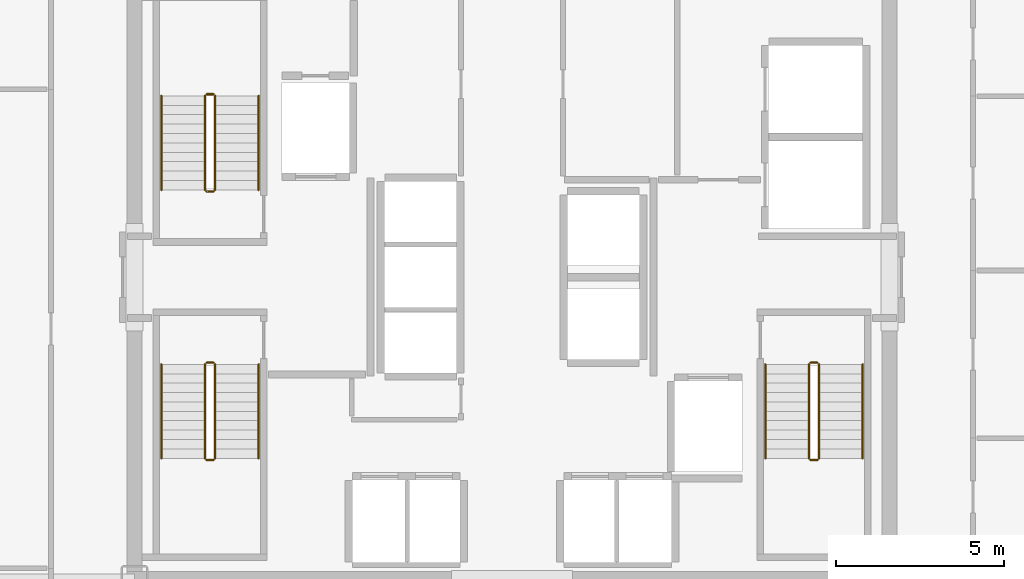
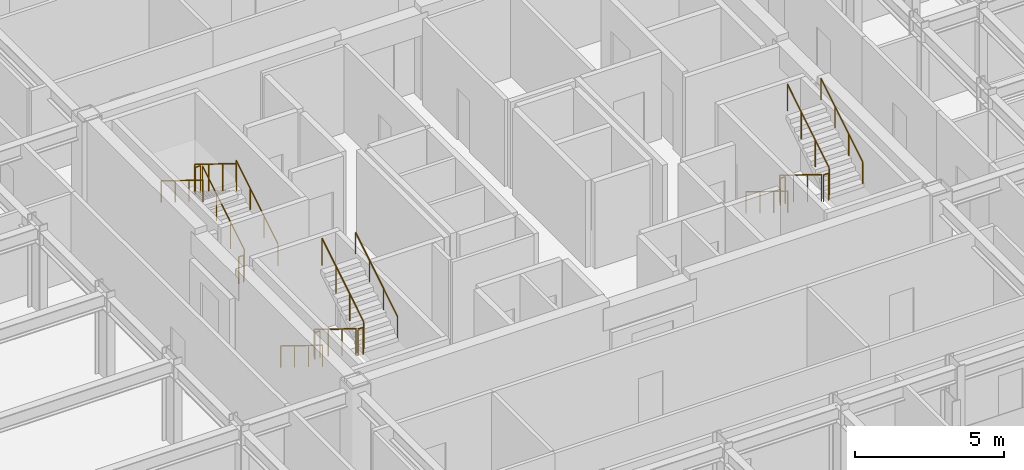
# One storey, part 20 of 20: 18 railings.
"""IFC4 building model written with IfcOpenShell, lengths in metres."""

from ifc_helpers import new_model, si_unit, direction, frame, origin, origin_2d, place, context, subcontext, project, spatial, circle, extrude, material, type_object, element, save


model = new_model("IFC4")

# Units and contexts
model_context = context("Model", 3, precision=1e-05, world=origin(), true_north=direction((0.0, 1.0)))
body_context = subcontext(model_context, "Body", "Model", "MODEL_VIEW")
ifc_project = project(units=[si_unit("LENGTHUNIT", "METRE"), si_unit("AREAUNIT", "SQUARE_METRE"), si_unit("VOLUMEUNIT", "CUBIC_METRE"), si_unit("PLANEANGLEUNIT", "RADIAN"), si_unit("MASSUNIT", "GRAM", prefix="KILO")], contexts=[model_context])

# Site, building, storey
site_placement = place(None, origin())
site = spatial("IfcSite", under=ifc_project, at=site_placement, CompositionType="ELEMENT")
building_placement = place(site_placement, origin())
building = spatial("IfcBuilding", under=site, at=building_placement, Name="Nefas-Gora Pilgrimage Tower", CompositionType="ELEMENT")
storey_placement = place(building_placement, frame((0.0, 0.0, 244.60009765625)))
storey = spatial("IfcBuildingStorey", under=building, at=storey_placement, Name="L61", CompositionType="ELEMENT", Elevation=244.60009765625)

# Railings
ifc_material_1 = material(Name="Painted galvanised steel", Category="steel")
railing_type_1 = type_object("IfcRailingType", Name="RLG-STR-GUARD-1100", PredefinedType="GUARDRAIL", material=ifc_material_1)
railing_1_placement = place(storey_placement, frame((-8.85009765625, 2.60009765625, 0.172607421875)))
element("IfcRailing", 1, at=railing_1_placement, inside=storey, type_object=railing_type_1, Name="L61 ST-01 stair guard 1", PredefinedType="GUARDRAIL", context=body_context, shape_type="SweptSolid", body=[
    extrude(circle(Radius=0.02392578125, at=origin_2d()), frame((0.0, 0.0, 1.09619140625), z_axis=(0.0, 0.851069175582, 0.525053576669), x_axis=(-1.0, 0.0, 0.0)), (0.0, 0.0, 1.0), 3.289794921875),
    extrude(circle(Radius=0.02099609375, at=origin_2d()), origin(), (0.0, 0.0, 1.0), 1.072021484375),
    extrude(circle(Radius=0.02099609375, at=origin_2d()), frame((0.0, 0.933349609375, 0.57568359375)), (0.0, 0.0, 1.0), 1.072021484375),
    extrude(circle(Radius=0.02099609375, at=origin_2d()), frame((0.0, 1.866455078125, 1.151611328125)), (0.0, 0.0, 1.0), 1.072021484375),
    extrude(circle(Radius=0.02099609375, at=origin_2d()), frame((0.0, 2.7998046875, 1.727294921875)), (0.0, 0.0, 1.0), 1.072021484375),
])
railing_2_placement = place(storey_placement, frame((-8.89990234375, 5.449951171875, 1.89990234375)))
element("IfcRailing", 2, at=railing_2_placement, inside=storey, type_object=railing_type_1, Name="L61 ST-01 stair guard 2", PredefinedType="GUARDRAIL", context=body_context, shape_type="SweptSolid", body=[
    extrude(circle(Radius=0.02392578125, at=origin_2d()), frame((0.0, 0.0, 1.09619140625), z_axis=(-1.0, 0.0, 0.0), x_axis=(0.0, -1.0, 0.0)), (0.0, 0.0, 1.0), 0.2001953125),
    extrude(circle(Radius=0.02099609375, at=origin_2d()), origin(), (0.0, 0.0, 1.0), 1.072021484375),
    extrude(circle(Radius=0.02099609375, at=origin_2d()), frame((-0.2001953125, 0.0, 0.0)), (0.0, 0.0, 1.0), 1.072021484375),
])
railing_3_placement = place(storey_placement, frame((-9.14990234375, 5.39990234375, 2.072509765625)))
element("IfcRailing", 3, at=railing_3_placement, inside=storey, type_object=railing_type_1, Name="L61 ST-01 stair guard 3", PredefinedType="GUARDRAIL", context=body_context, shape_type="SweptSolid", body=[
    extrude(circle(Radius=0.02392578125, at=origin_2d()), frame((0.0, 0.0, 1.09619140625), z_axis=(0.0, -0.851069175582, 0.525053576669), x_axis=(1.0, 0.0, 0.0)), (0.0, 0.0, 1.0), 3.289794921875),
    extrude(circle(Radius=0.02099609375, at=origin_2d()), origin(), (0.0, 0.0, 1.0), 1.072021484375),
    extrude(circle(Radius=0.02099609375, at=origin_2d()), frame((0.0, -0.933349609375, 0.57568359375)), (0.0, 0.0, 1.0), 1.072021484375),
    extrude(circle(Radius=0.02099609375, at=origin_2d()), frame((0.0, -1.866455078125, 1.151611328125)), (0.0, 0.0, 1.0), 1.072021484375),
    extrude(circle(Radius=0.02099609375, at=origin_2d()), frame((0.0, -2.7998046875, 1.727294921875)), (0.0, 0.0, 1.0), 1.072021484375),
])
railing_4_placement = place(storey_placement, frame((-8.89990234375, 2.550048828125, 0.0)))
element("IfcRailing", 4, at=railing_4_placement, inside=storey, type_object=railing_type_1, Name="L61 ST-01 stair guard 4", PredefinedType="GUARDRAIL", context=body_context, shape_type="SweptSolid", body=[
    extrude(circle(Radius=0.02392578125, at=origin_2d()), frame((0.0, 0.0, 1.09619140625), z_axis=(-1.0, 0.0, 0.0), x_axis=(0.0, -1.0, 0.0)), (0.0, 0.0, 1.0), 0.2001953125),
    extrude(circle(Radius=0.02099609375, at=origin_2d()), origin(), (0.0, 0.0, 1.0), 1.072021484375),
    extrude(circle(Radius=0.02099609375, at=origin_2d()), frame((-0.2001953125, 0.0, 0.0)), (0.0, 0.0, 1.0), 1.072021484375),
])
railing_5_placement = place(storey_placement, frame((8.85009765625, -2.60009765625, 0.172607421875)))
element("IfcRailing", 5, at=railing_5_placement, inside=storey, type_object=railing_type_1, Name="L61 ST-02 stair guard 1", PredefinedType="GUARDRAIL", context=body_context, shape_type="SweptSolid", body=[
    extrude(circle(Radius=0.02392578125, at=origin_2d()), frame((0.0, 0.0, 1.09619140625), z_axis=(0.0, -0.851069175582, 0.525053576669), x_axis=(1.0, 0.0, 0.0)), (0.0, 0.0, 1.0), 3.289794921875),
    extrude(circle(Radius=0.02099609375, at=origin_2d()), origin(), (0.0, 0.0, 1.0), 1.072021484375),
    extrude(circle(Radius=0.02099609375, at=origin_2d()), frame((0.0, -0.933349609375, 0.57568359375)), (0.0, 0.0, 1.0), 1.072021484375),
    extrude(circle(Radius=0.02099609375, at=origin_2d()), frame((0.0, -1.866455078125, 1.151611328125)), (0.0, 0.0, 1.0), 1.072021484375),
    extrude(circle(Radius=0.02099609375, at=origin_2d()), frame((0.0, -2.7998046875, 1.727294921875)), (0.0, 0.0, 1.0), 1.072021484375),
])
railing_6_placement = place(storey_placement, frame((8.89990234375, -5.449951171875, 1.89990234375)))
element("IfcRailing", 6, at=railing_6_placement, inside=storey, type_object=railing_type_1, Name="L61 ST-02 stair guard 2", PredefinedType="GUARDRAIL", context=body_context, shape_type="SweptSolid", body=[
    extrude(circle(Radius=0.02392578125, at=origin_2d()), frame((0.0, 0.0, 1.09619140625), z_axis=(1.0, 0.0, 0.0), x_axis=(0.0, 1.0, 0.0)), (0.0, 0.0, 1.0), 0.2001953125),
    extrude(circle(Radius=0.02099609375, at=origin_2d()), origin(), (0.0, 0.0, 1.0), 1.072021484375),
    extrude(circle(Radius=0.02099609375, at=origin_2d()), frame((0.2001953125, 0.0, 0.0)), (0.0, 0.0, 1.0), 1.072021484375),
])
railing_7_placement = place(storey_placement, frame((9.14990234375, -5.39990234375, 2.072509765625)))
element("IfcRailing", 7, at=railing_7_placement, inside=storey, type_object=railing_type_1, Name="L61 ST-02 stair guard 3", PredefinedType="GUARDRAIL", context=body_context, shape_type="SweptSolid", body=[
    extrude(circle(Radius=0.02392578125, at=origin_2d()), frame((0.0, 0.0, 1.09619140625), z_axis=(0.0, 0.851069175582, 0.525053576669), x_axis=(-1.0, 0.0, 0.0)), (0.0, 0.0, 1.0), 3.289794921875),
    extrude(circle(Radius=0.02099609375, at=origin_2d()), origin(), (0.0, 0.0, 1.0), 1.072021484375),
    extrude(circle(Radius=0.02099609375, at=origin_2d()), frame((0.0, 0.933349609375, 0.57568359375)), (0.0, 0.0, 1.0), 1.072021484375),
    extrude(circle(Radius=0.02099609375, at=origin_2d()), frame((0.0, 1.866455078125, 1.151611328125)), (0.0, 0.0, 1.0), 1.072021484375),
    extrude(circle(Radius=0.02099609375, at=origin_2d()), frame((0.0, 2.7998046875, 1.727294921875)), (0.0, 0.0, 1.0), 1.072021484375),
])
railing_8_placement = place(storey_placement, frame((8.89990234375, -2.550048828125, 0.0)))
element("IfcRailing", 8, at=railing_8_placement, inside=storey, type_object=railing_type_1, Name="L61 ST-02 stair guard 4", PredefinedType="GUARDRAIL", context=body_context, shape_type="SweptSolid", body=[
    extrude(circle(Radius=0.02392578125, at=origin_2d()), frame((0.0, 0.0, 1.09619140625), z_axis=(1.0, 0.0, 0.0), x_axis=(0.0, 1.0, 0.0)), (0.0, 0.0, 1.0), 0.2001953125),
    extrude(circle(Radius=0.02099609375, at=origin_2d()), origin(), (0.0, 0.0, 1.0), 1.072021484375),
    extrude(circle(Radius=0.02099609375, at=origin_2d()), frame((0.2001953125, 0.0, 0.0)), (0.0, 0.0, 1.0), 1.072021484375),
])
railing_9_placement = place(storey_placement, frame((-9.14990234375, -2.60009765625, 0.172607421875)))
element("IfcRailing", 9, at=railing_9_placement, inside=storey, type_object=railing_type_1, Name="L61 ST-03 stair guard 1", PredefinedType="GUARDRAIL", context=body_context, shape_type="SweptSolid", body=[
    extrude(circle(Radius=0.02392578125, at=origin_2d()), frame((0.0, 0.0, 1.09619140625), z_axis=(0.0, -0.851069175582, 0.525053576669), x_axis=(1.0, 0.0, 0.0)), (0.0, 0.0, 1.0), 3.289794921875),
    extrude(circle(Radius=0.02099609375, at=origin_2d()), origin(), (0.0, 0.0, 1.0), 1.072021484375),
    extrude(circle(Radius=0.02099609375, at=origin_2d()), frame((0.0, -0.933349609375, 0.57568359375)), (0.0, 0.0, 1.0), 1.072021484375),
    extrude(circle(Radius=0.02099609375, at=origin_2d()), frame((0.0, -1.866455078125, 1.151611328125)), (0.0, 0.0, 1.0), 1.072021484375),
    extrude(circle(Radius=0.02099609375, at=origin_2d()), frame((0.0, -2.7998046875, 1.727294921875)), (0.0, 0.0, 1.0), 1.072021484375),
])
railing_10_placement = place(storey_placement, frame((-9.10009765625, -5.449951171875, 1.89990234375)))
element("IfcRailing", 10, at=railing_10_placement, inside=storey, type_object=railing_type_1, Name="L61 ST-03 stair guard 2", PredefinedType="GUARDRAIL", context=body_context, shape_type="SweptSolid", body=[
    extrude(circle(Radius=0.02392578125, at=origin_2d()), frame((0.0, 0.0, 1.09619140625), z_axis=(1.0, 0.0, 0.0), x_axis=(0.0, 1.0, 0.0)), (0.0, 0.0, 1.0), 0.2001953125),
    extrude(circle(Radius=0.02099609375, at=origin_2d()), origin(), (0.0, 0.0, 1.0), 1.072021484375),
    extrude(circle(Radius=0.02099609375, at=origin_2d()), frame((0.2001953125, 0.0, 0.0)), (0.0, 0.0, 1.0), 1.072021484375),
])
railing_11_placement = place(storey_placement, frame((-8.85009765625, -5.39990234375, 2.072509765625)))
element("IfcRailing", 11, at=railing_11_placement, inside=storey, type_object=railing_type_1, Name="L61 ST-03 stair guard 3", PredefinedType="GUARDRAIL", context=body_context, shape_type="SweptSolid", body=[
    extrude(circle(Radius=0.02392578125, at=origin_2d()), frame((0.0, 0.0, 1.09619140625), z_axis=(0.0, 0.851069175582, 0.525053576669), x_axis=(-1.0, 0.0, 0.0)), (0.0, 0.0, 1.0), 3.289794921875),
    extrude(circle(Radius=0.02099609375, at=origin_2d()), origin(), (0.0, 0.0, 1.0), 1.072021484375),
    extrude(circle(Radius=0.02099609375, at=origin_2d()), frame((0.0, 0.933349609375, 0.57568359375)), (0.0, 0.0, 1.0), 1.072021484375),
    extrude(circle(Radius=0.02099609375, at=origin_2d()), frame((0.0, 1.866455078125, 1.151611328125)), (0.0, 0.0, 1.0), 1.072021484375),
    extrude(circle(Radius=0.02099609375, at=origin_2d()), frame((0.0, 2.7998046875, 1.727294921875)), (0.0, 0.0, 1.0), 1.072021484375),
])
railing_12_placement = place(storey_placement, frame((-9.10009765625, -2.550048828125, 0.0)))
element("IfcRailing", 12, at=railing_12_placement, inside=storey, type_object=railing_type_1, Name="L61 ST-03 stair guard 4", PredefinedType="GUARDRAIL", context=body_context, shape_type="SweptSolid", body=[
    extrude(circle(Radius=0.02392578125, at=origin_2d()), frame((0.0, 0.0, 1.09619140625), z_axis=(1.0, 0.0, 0.0), x_axis=(0.0, 1.0, 0.0)), (0.0, 0.0, 1.0), 0.2001953125),
    extrude(circle(Radius=0.02099609375, at=origin_2d()), origin(), (0.0, 0.0, 1.0), 1.072021484375),
    extrude(circle(Radius=0.02099609375, at=origin_2d()), frame((0.2001953125, 0.0, 0.0)), (0.0, 0.0, 1.0), 1.072021484375),
])
ifc_material_2 = material(Name="Brushed stainless steel", Category="steel")
railing_type_2 = type_object("IfcRailingType", Name="RLG-STR-HAND-900", PredefinedType="HANDRAIL", material=ifc_material_2)
railing_13_placement = place(storey_placement, frame((-7.550048828125, 2.60009765625, 0.172607421875)))
element("IfcRailing", 13, at=railing_13_placement, inside=storey, type_object=railing_type_2, Name="L61 ST-01 stair handrail 1", PredefinedType="HANDRAIL", context=body_context, shape_type="SweptSolid", body=[
    extrude(circle(Radius=0.02392578125, at=origin_2d()), frame((0.0, 0.0, 0.8759765625), z_axis=(0.0, 0.851069175582, 0.525053576669), x_axis=(-1.0, 0.0, 0.0)), (0.0, 0.0, 1.0), 3.289794921875),
    extrude(circle(Radius=0.02099609375, at=origin_2d()), origin(), (0.0, 0.0, 1.0), 0.851806640625),
    extrude(circle(Radius=0.02099609375, at=origin_2d()), frame((0.0, 0.933349609375, 0.57568359375)), (0.0, 0.0, 1.0), 0.851806640625),
    extrude(circle(Radius=0.02099609375, at=origin_2d()), frame((0.0, 1.866455078125, 1.151611328125)), (0.0, 0.0, 1.0), 0.851806640625),
    extrude(circle(Radius=0.02099609375, at=origin_2d()), frame((0.0, 2.7998046875, 1.727294921875)), (0.0, 0.0, 1.0), 0.851806640625),
])
for number, where, name in (
    (14, (-10.449951171875, 5.39990234375, 2.072509765625), "L61 ST-01 stair handrail 2"),
    (15, (7.550048828125, -2.60009765625, 0.172607421875), "L61 ST-02 stair handrail 1"),
):
    element("IfcRailing", number, at=place(storey_placement, frame(where)), inside=storey, type_object=railing_type_2, Name=name, PredefinedType="HANDRAIL", context=body_context, shape_type="SweptSolid", body=[
        extrude(circle(Radius=0.02392578125, at=origin_2d()), frame((0.0, 0.0, 0.8759765625), z_axis=(0.0, -0.851069175582, 0.525053576669), x_axis=(1.0, 0.0, 0.0)), (0.0, 0.0, 1.0), 3.289794921875),
        extrude(circle(Radius=0.02099609375, at=origin_2d()), origin(), (0.0, 0.0, 1.0), 0.851806640625),
        extrude(circle(Radius=0.02099609375, at=origin_2d()), frame((0.0, -0.933349609375, 0.57568359375)), (0.0, 0.0, 1.0), 0.851806640625),
        extrude(circle(Radius=0.02099609375, at=origin_2d()), frame((0.0, -1.866455078125, 1.151611328125)), (0.0, 0.0, 1.0), 0.851806640625),
        extrude(circle(Radius=0.02099609375, at=origin_2d()), frame((0.0, -2.7998046875, 1.727294921875)), (0.0, 0.0, 1.0), 0.851806640625),
    ])
railing_14_placement = place(storey_placement, frame((10.449951171875, -5.39990234375, 2.072509765625)))
element("IfcRailing", 16, at=railing_14_placement, inside=storey, type_object=railing_type_2, Name="L61 ST-02 stair handrail 2", PredefinedType="HANDRAIL", context=body_context, shape_type="SweptSolid", body=[
    extrude(circle(Radius=0.02392578125, at=origin_2d()), frame((0.0, 0.0, 0.8759765625), z_axis=(0.0, 0.851069175582, 0.525053576669), x_axis=(-1.0, 0.0, 0.0)), (0.0, 0.0, 1.0), 3.289794921875),
    extrude(circle(Radius=0.02099609375, at=origin_2d()), origin(), (0.0, 0.0, 1.0), 0.851806640625),
    extrude(circle(Radius=0.02099609375, at=origin_2d()), frame((0.0, 0.933349609375, 0.57568359375)), (0.0, 0.0, 1.0), 0.851806640625),
    extrude(circle(Radius=0.02099609375, at=origin_2d()), frame((0.0, 1.866455078125, 1.151611328125)), (0.0, 0.0, 1.0), 0.851806640625),
    extrude(circle(Radius=0.02099609375, at=origin_2d()), frame((0.0, 2.7998046875, 1.727294921875)), (0.0, 0.0, 1.0), 0.851806640625),
])
railing_15_placement = place(storey_placement, frame((-10.449951171875, -2.60009765625, 0.172607421875)))
element("IfcRailing", 17, at=railing_15_placement, inside=storey, type_object=railing_type_2, Name="L61 ST-03 stair handrail 1", PredefinedType="HANDRAIL", context=body_context, shape_type="SweptSolid", body=[
    extrude(circle(Radius=0.02392578125, at=origin_2d()), frame((0.0, 0.0, 0.8759765625), z_axis=(0.0, -0.851069175582, 0.525053576669), x_axis=(1.0, 0.0, 0.0)), (0.0, 0.0, 1.0), 3.289794921875),
    extrude(circle(Radius=0.02099609375, at=origin_2d()), origin(), (0.0, 0.0, 1.0), 0.851806640625),
    extrude(circle(Radius=0.02099609375, at=origin_2d()), frame((0.0, -0.933349609375, 0.57568359375)), (0.0, 0.0, 1.0), 0.851806640625),
    extrude(circle(Radius=0.02099609375, at=origin_2d()), frame((0.0, -1.866455078125, 1.151611328125)), (0.0, 0.0, 1.0), 0.851806640625),
    extrude(circle(Radius=0.02099609375, at=origin_2d()), frame((0.0, -2.7998046875, 1.727294921875)), (0.0, 0.0, 1.0), 0.851806640625),
])
railing_16_placement = place(storey_placement, frame((-7.550048828125, -5.39990234375, 2.072509765625)))
element("IfcRailing", 18, at=railing_16_placement, inside=storey, type_object=railing_type_2, Name="L61 ST-03 stair handrail 2", PredefinedType="HANDRAIL", context=body_context, shape_type="SweptSolid", body=[
    extrude(circle(Radius=0.02392578125, at=origin_2d()), frame((0.0, 0.0, 0.8759765625), z_axis=(0.0, 0.851069175582, 0.525053576669), x_axis=(-1.0, 0.0, 0.0)), (0.0, 0.0, 1.0), 3.289794921875),
    extrude(circle(Radius=0.02099609375, at=origin_2d()), origin(), (0.0, 0.0, 1.0), 0.851806640625),
    extrude(circle(Radius=0.02099609375, at=origin_2d()), frame((0.0, 0.933349609375, 0.57568359375)), (0.0, 0.0, 1.0), 0.851806640625),
    extrude(circle(Radius=0.02099609375, at=origin_2d()), frame((0.0, 1.866455078125, 1.151611328125)), (0.0, 0.0, 1.0), 0.851806640625),
    extrude(circle(Radius=0.02099609375, at=origin_2d()), frame((0.0, 2.7998046875, 1.727294921875)), (0.0, 0.0, 1.0), 0.851806640625),
])

save(model, "model.ifc")
